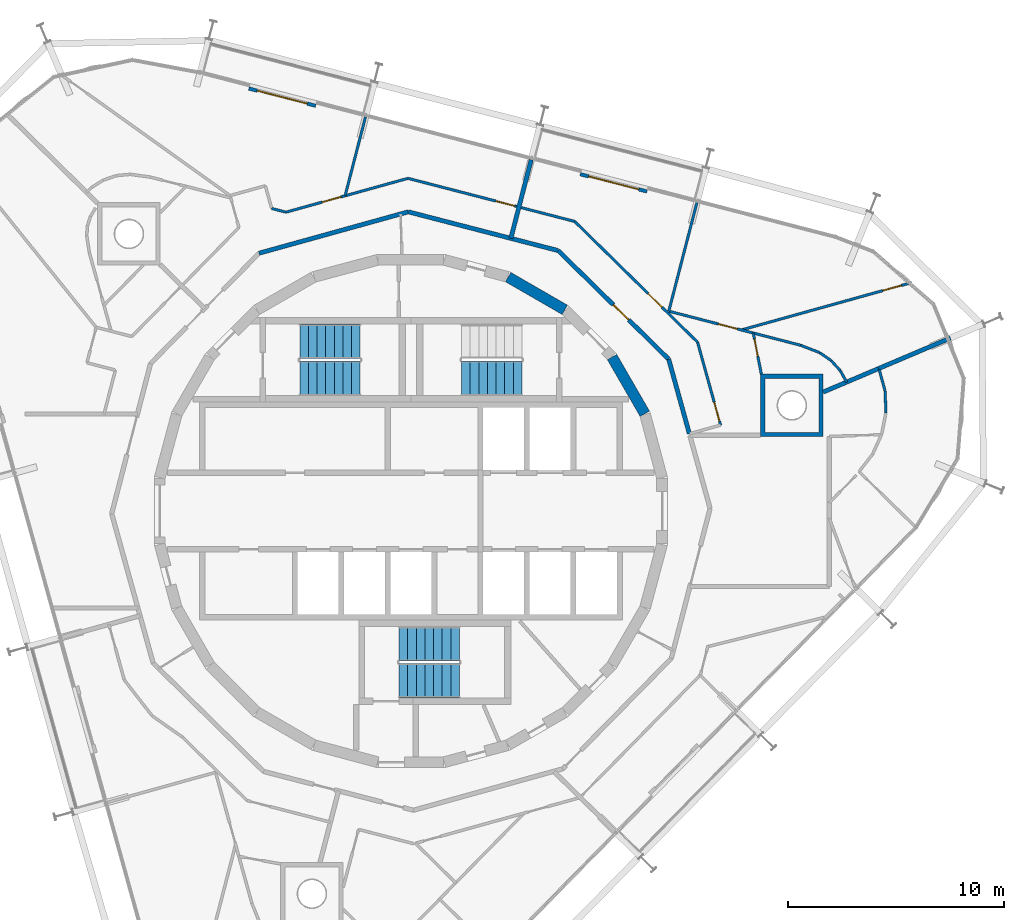
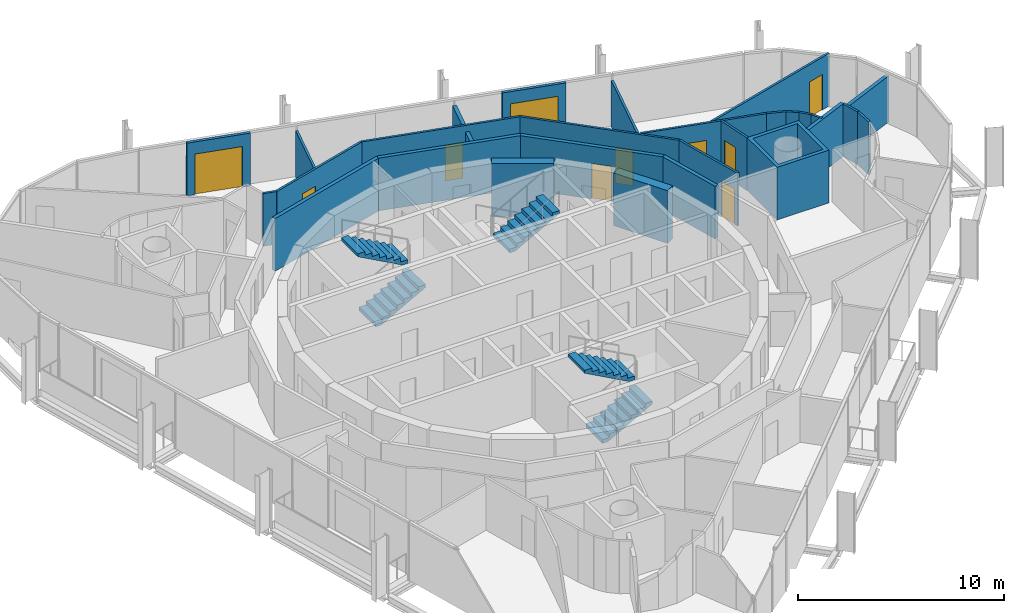
# One storey, part 14 of 16: 28 walls, 10 doors, 5 stair flights, 10 openings, 3 elements without a shape of their own.
"""IFC4 building model written with IfcOpenShell, lengths in metres."""

from ifc_helpers import new_model, si_unit, direction, frame, frame_2d, origin, place, context, subcontext, project, spatial, polyline, rectangle, outline, extrude, material, layer, layer_set, type_object, element, fill, aggregate, save


model = new_model("IFC4")

# Units and contexts
model_context = context("Model", 3, precision=1e-05, world=origin(), true_north=direction((0.0, 1.0)))
body_context = subcontext(model_context, "Body", "Model", "MODEL_VIEW")
ifc_project = project(units=[si_unit("LENGTHUNIT", "METRE"), si_unit("AREAUNIT", "SQUARE_METRE"), si_unit("VOLUMEUNIT", "CUBIC_METRE"), si_unit("PLANEANGLEUNIT", "RADIAN"), si_unit("MASSUNIT", "GRAM", prefix="KILO")], contexts=[model_context])

# Site, building, storey
site_placement = place(None, origin())
site = spatial("IfcSite", under=ifc_project, at=site_placement, CompositionType="ELEMENT")
building_placement = place(site_placement, origin())
building = spatial("IfcBuilding", under=site, at=building_placement, Name="Spindle Arch Residences", CompositionType="ELEMENT")
storey_placement = place(building_placement, frame((0.0, 0.0, 301.699951171875)))
storey = spatial("IfcBuildingStorey", under=building, at=storey_placement, Name="L77", CompositionType="ELEMENT", Elevation=301.699951171875)

# Walls
ifc_material_1 = material(Name="Concrete C50/60", Category="concrete")
ifc_layer_1 = layer(ifc_material_1, 0.5)
ifc_layer_set_1 = layer_set([ifc_layer_1], Name="Core outline wall 500")
wall_type_1 = type_object("IfcWallType", Name="Core outline wall 500", PredefinedType="SHEAR", material=ifc_layer_set_1)
for number, where, z_axis, x_axis, name in (
    (1, (10.84521484375, 4.510498046875, 0.0), (0.0, 0.0, 1.0), (-0.500087131594, 0.865975092491, 0.0), "Core outline wall 8"),
    (2, (7.13671875, 9.32861328125, 0.0), (0.0, 0.0, 1.0), (-0.865975092491, 0.500087131594, 0.0), "Core outline wall 10"),
):
    element("IfcWall", number, at=place(storey_placement, frame(where, z_axis=z_axis, x_axis=x_axis)), inside=storey, type_object=wall_type_1, Name=name, PredefinedType="SHEAR", context=body_context, shape_type="SweptSolid", body=[
        extrude(rectangle(XDim=3.03271484375, YDim=0.5, at=frame_2d((1.516357421875, 0.0))), origin(), (0.0, 0.0, 1.0), 3.1201171875),
    ])
ifc_material_2 = material(Name="Calcium silicate block, plastered")
ifc_layer_2 = layer(ifc_material_2, 0.199951171875)
ifc_layer_set_2 = layer_set([ifc_layer_2], Name="Corridor wall 200")
wall_type_2 = type_object("IfcWallType", Name="Corridor wall 200", PredefinedType="STANDARD", material=ifc_layer_set_2)
wall_1_placement = place(storey_placement, frame((12.91259765625, 3.5810546875, 0.0), z_axis=(0.0, 0.0, 1.0), x_axis=(-0.267223005422, 0.963634715737, 0.0)))
element("IfcWall", 3, at=wall_1_placement, inside=storey, type_object=wall_type_2, Name="Corridor wall R8A1-W006", PredefinedType="STANDARD", context=body_context, shape_type="SweptSolid", body=[
    extrude(rectangle(XDim=3.590576171875, YDim=0.199951171875, at=frame_2d((1.79541015625, 0.0))), origin(), (0.0, 0.0, 1.0), 3.1201171875),
])

# Wall, opening, door
wall_2_placement = place(storey_placement, frame((11.953125, 7.041015625, 0.0), z_axis=(0.0, 0.0, 1.0), x_axis=(-0.713250549143, 0.70090916255, 0.0)))
wall_2 = element("IfcWall", 4, at=wall_2_placement, inside=storey, type_object=wall_type_2, Name="Corridor wall R8A1-W007", PredefinedType="STANDARD", context=body_context, shape_type="SweptSolid", body=[
    extrude(rectangle(XDim=7.180908203125, YDim=0.199951171875, at=frame_2d((3.59033203125, 0.0))), origin(), (0.0, 0.0, 1.0), 3.1201171875),
])
opening_1_placement = place(wall_2_placement, frame((2.60009765625, 0.0, 0.0)))
opening_1 = element("IfcOpeningElement", 5, at=opening_1_placement, cuts=wall_2, Name="Opening R8A1-FD01", PredefinedType="OPENING", context=body_context, shape_type="SweptSolid", body=[
    extrude(rectangle(XDim=1.0, YDim=2.10009765625, at=frame_2d((0.5, 1.050048828125))), frame((0.0, 0.10986328125, 0.0), z_axis=(0.0, -1.0, 0.0), x_axis=(1.0, 0.0, 0.0)), (0.0, 0.0, 1.0), 0.219970703125),
])
ifc_material_3 = material(Name="Timber, fire-resisting door set", Category="wood")
door_type_1 = type_object("IfcDoorType", Name="Flat entrance door 1000x2100", OperationType="NOTDEFINED", PredefinedType="DOOR", material=ifc_material_3)
door_1_placement = place(opening_1_placement, origin())
door_1 = element("IfcDoor", 6, at=door_1_placement, inside=storey, type_object=door_type_1, Name="Flat entrance door R8A1-FD01", OperationType="SINGLE_SWING_LEFT", OverallHeight=2.10009765625, OverallWidth=1.0, PredefinedType="DOOR", context=body_context, shape_type="SweptSolid", body=[
    extrude(rectangle(XDim=1.0, YDim=2.10009765625, at=frame_2d((0.5, 1.050048828125))), frame((0.0, 0.02490234375, 0.0), z_axis=(0.0, -1.0, 0.0), x_axis=(1.0, 0.0, 0.0)), (0.0, 0.0, 1.0), 0.050048828125),
])
fill(opening_1, door_1)

# Walls
for number, where, z_axis, x_axis, name in (
    (7, (6.831298828125, 12.07421875, 0.0), (0.0, 0.0, 1.0), (-0.968144780225, 0.250391063186, 0.0), "Corridor wall R8A1-W008"),
    (8, (-0.12109375, 13.872314453125, 0.0), (0.0, 0.0, 1.0), (-0.963625960674, -0.267254575108, 0.0), "Corridor wall R8A1-W009"),
):
    element("IfcWall", number, at=place(storey_placement, frame(where, z_axis=z_axis, x_axis=x_axis)), inside=storey, type_object=wall_type_2, Name=name, PredefinedType="STANDARD", context=body_context, shape_type="SweptSolid", body=[
        extrude(rectangle(XDim=7.18115234375, YDim=0.199951171875, at=frame_2d((3.590576171875, 0.0))), origin(), (0.0, 0.0, 1.0), 3.1201171875),
    ])

# Wall, opening, door
ifc_material_4 = material(Name="Plasterboard on steel studs", Category="steel")
ifc_layer_3 = layer(ifc_material_4, 0.1201171875)
ifc_layer_set_3 = layer_set([ifc_layer_3], Name="Flat partition 120")
wall_type_3 = type_object("IfcWallType", Name="Flat partition 120", PredefinedType="PARTITIONING", material=ifc_layer_set_3)
wall_3_placement = place(storey_placement, frame((14.358154296875, 3.98193359375, 0.0), z_axis=(0.0, 0.0, 1.0), x_axis=(-0.267233823916, 0.963631715623, 0.0)))
wall_3 = element("IfcWall", 9, at=wall_3_placement, inside=storey, type_object=wall_type_3, Name="Flat partition R8A1-W033", PredefinedType="PARTITIONING", context=body_context, shape_type="SweptSolid", body=[
    extrude(rectangle(XDim=3.992431640625, YDim=0.1201171875, at=frame_2d((1.99609375, 0.0))), origin(), (0.0, 0.0, 1.0), 3.1201171875),
])
opening_2_placement = place(wall_3_placement, frame((0.199951171875, 0.0, 0.0)))
opening_2 = element("IfcOpeningElement", 10, at=opening_2_placement, cuts=wall_3, Name="Opening R8A1-ID01", PredefinedType="OPENING", context=body_context, shape_type="SweptSolid", body=[
    extrude(rectangle(XDim=0.89990234375, YDim=2.10009765625, at=frame_2d((0.449951171875, 1.050048828125))), frame((0.0, 0.070068359375, 0.0), z_axis=(0.0, -1.0, 0.0), x_axis=(1.0, 0.0, 0.0)), (0.0, 0.0, 1.0), 0.14013671875),
])
ifc_material_5 = material(Name="Timber door set", Category="wood")
door_type_2 = type_object("IfcDoorType", Name="Room door 900x2100", OperationType="NOTDEFINED", PredefinedType="DOOR", material=ifc_material_5)
door_2_placement = place(opening_2_placement, origin())
door_2 = element("IfcDoor", 11, at=door_2_placement, inside=storey, type_object=door_type_2, Name="Room door R8A1-ID01", OperationType="SINGLE_SWING_LEFT", OverallHeight=2.10009765625, OverallWidth=0.89990234375, PredefinedType="DOOR", context=body_context, shape_type="SweptSolid", body=[
    extrude(rectangle(XDim=0.89990234375, YDim=2.10009765625, at=frame_2d((0.449951171875, 1.050048828125))), frame((0.0, 0.02490234375, 0.0), z_axis=(0.0, -1.0, 0.0), x_axis=(1.0, 0.0, 0.0)), (0.0, 0.0, 1.0), 0.050048828125),
])
fill(opening_2, door_2)

wall_4_placement = place(storey_placement, frame((13.291259765625, 7.8291015625, 0.0), z_axis=(0.0, 0.0, 1.0), x_axis=(-0.713255978622, 0.700903637428, 0.0)))
wall_4 = element("IfcWall", 12, at=wall_4_placement, inside=storey, type_object=wall_type_3, Name="Flat partition R8A1-W034", PredefinedType="PARTITIONING", context=body_context, shape_type="SweptSolid", body=[
    extrude(rectangle(XDim=7.98486328125, YDim=0.1201171875, at=frame_2d((3.992431640625, 0.0))), origin(), (0.0, 0.0, 1.0), 3.1201171875),
])
opening_3_placement = place(wall_4_placement, frame((2.314208984375, 0.0, 0.0)))
opening_3 = element("IfcOpeningElement", 13, at=opening_3_placement, cuts=wall_4, Name="Opening R8A1-ID02", PredefinedType="OPENING", context=body_context, shape_type="SweptSolid", body=[
    extrude(rectangle(XDim=0.89990234375, YDim=2.10009765625, at=frame_2d((0.449951171875, 1.050048828125))), frame((0.0, 0.070068359375, 0.0), z_axis=(0.0, -1.0, 0.0), x_axis=(1.0, 0.0, 0.0)), (0.0, 0.0, 1.0), 0.14013671875),
])
door_3_placement = place(opening_3_placement, origin())
door_3 = element("IfcDoor", 14, at=door_3_placement, inside=storey, type_object=door_type_2, Name="Room door R8A1-ID02", OperationType="SINGLE_SWING_LEFT", OverallHeight=2.10009765625, OverallWidth=0.89990234375, PredefinedType="DOOR", context=body_context, shape_type="SweptSolid", body=[
    extrude(rectangle(XDim=0.89990234375, YDim=2.10009765625, at=frame_2d((0.449951171875, 1.050048828125))), frame((0.0, 0.02490234375, 0.0), z_axis=(0.0, -1.0, 0.0), x_axis=(1.0, 0.0, 0.0)), (0.0, 0.0, 1.0), 0.050048828125),
])
fill(opening_3, door_3)

wall_5_placement = place(storey_placement, frame((7.595947265625, 13.42578125, 0.0), z_axis=(0.0, 0.0, 1.0), x_axis=(-0.968146656033, 0.250383810203, 0.0)))
wall_5 = element("IfcWall", 15, at=wall_5_placement, inside=storey, type_object=wall_type_3, Name="Flat partition R8A1-W035", PredefinedType="PARTITIONING", context=body_context, shape_type="SweptSolid", body=[
    extrude(rectangle(XDim=7.98486328125, YDim=0.1201171875, at=frame_2d((3.992431640625, 0.0))), origin(), (0.0, 0.0, 1.0), 3.1201171875),
])
opening_4_placement = place(wall_5_placement, frame((2.869873046875, 0.0, 0.0)))
opening_4 = element("IfcOpeningElement", 16, at=opening_4_placement, cuts=wall_5, Name="Opening R8A1-ID05", PredefinedType="OPENING", context=body_context, shape_type="SweptSolid", body=[
    extrude(rectangle(XDim=0.89990234375, YDim=2.10009765625, at=frame_2d((0.449951171875, 1.050048828125))), frame((0.0, 0.070068359375, 0.0), z_axis=(0.0, -1.0, 0.0), x_axis=(1.0, 0.0, 0.0)), (0.0, 0.0, 1.0), 0.14013671875),
])
door_4_placement = place(opening_4_placement, origin())
door_4 = element("IfcDoor", 17, at=door_4_placement, inside=storey, type_object=door_type_2, Name="Room door R8A1-ID05", OperationType="SINGLE_SWING_LEFT", OverallHeight=2.10009765625, OverallWidth=0.89990234375, PredefinedType="DOOR", context=body_context, shape_type="SweptSolid", body=[
    extrude(rectangle(XDim=0.89990234375, YDim=2.10009765625, at=frame_2d((0.449951171875, 1.050048828125))), frame((0.0, 0.02490234375, 0.0), z_axis=(0.0, -1.0, 0.0), x_axis=(1.0, 0.0, 0.0)), (0.0, 0.0, 1.0), 0.050048828125),
])
fill(opening_4, door_4)

# Walls
wall_6_placement = place(storey_placement, frame((20.203369140625, 5.976806640625, 0.0), z_axis=(0.0, 0.0, 1.0), x_axis=(-0.482261544721, 0.876027284098, 0.0)))
element("IfcWall", 18, at=wall_6_placement, inside=storey, type_object=wall_type_3, Name="Flat partition R8A1-W036", PredefinedType="PARTITIONING", context=body_context, shape_type="SweptSolid", body=[
    extrude(rectangle(XDim=0.601318359375, YDim=0.1201171875, at=frame_2d((0.30078125, 0.0))), origin(), (0.0, 0.0, 1.0), 3.1201171875),
])
for number, where, z_axis, x_axis, name in (
    (19, (19.913330078125, 6.503662109375, 0.0), (0.0, 0.0, 1.0), (-0.671251836621, 0.741229365198, 0.0), "Flat partition R8A1-W037"),
    (20, (19.482421875, 6.9794921875, 0.0), (0.0, 0.0, 1.0), (-0.82418616252, 0.566318964463, 0.0), "Flat partition R8A1-W038"),
):
    element("IfcWall", number, at=place(storey_placement, frame(where, z_axis=z_axis, x_axis=x_axis)), inside=storey, type_object=wall_type_3, Name=name, PredefinedType="PARTITIONING", context=body_context, shape_type="SweptSolid", body=[
        extrude(rectangle(XDim=0.641845703125, YDim=0.1201171875, at=frame_2d((0.32080078125, 0.0))), origin(), (0.0, 0.0, 1.0), 3.1201171875),
    ])
wall_7_placement = place(storey_placement, frame((18.953369140625, 7.343017578125, 0.0), z_axis=(0.0, 0.0, 1.0), x_axis=(-0.932458839957, 0.361276226433, 0.0)))
element("IfcWall", 21, at=wall_7_placement, inside=storey, type_object=wall_type_3, Name="Flat partition R8A1-W039", PredefinedType="PARTITIONING", context=body_context, shape_type="SweptSolid", body=[
    extrude(rectangle(XDim=0.94677734375, YDim=0.1201171875, at=frame_2d((0.473388671875, 0.0))), origin(), (0.0, 0.0, 1.0), 3.1201171875),
])

# Wall, opening, door
wall_8_placement = place(storey_placement, frame((18.070556640625, 7.68505859375, 0.0), z_axis=(0.0, 0.0, 1.0), x_axis=(-0.968152245082, 0.250362198309, 0.0)))
wall_8 = element("IfcWall", 22, at=wall_8_placement, inside=storey, type_object=wall_type_3, Name="Flat partition R8A1-W040", PredefinedType="PARTITIONING", context=body_context, shape_type="SweptSolid", body=[
    extrude(rectangle(XDim=6.313232421875, YDim=0.1201171875, at=frame_2d((3.15673828125, 0.0))), origin(), (0.0, 0.0, 1.0), 3.1201171875),
])
opening_5_placement = place(wall_8_placement, frame((3.035888671875, 0.0, 0.0)))
opening_5 = element("IfcOpeningElement", 23, at=opening_5_placement, cuts=wall_8, Name="Opening R8A1-ID03", PredefinedType="OPENING", context=body_context, shape_type="SweptSolid", body=[
    extrude(rectangle(XDim=0.89990234375, YDim=2.10009765625, at=frame_2d((0.449951171875, 1.050048828125))), frame((0.0, 0.070068359375, 0.0), z_axis=(0.0, -1.0, 0.0), x_axis=(1.0, 0.0, 0.0)), (0.0, 0.0, 1.0), 0.14013671875),
])
door_5_placement = place(opening_5_placement, origin())
door_5 = element("IfcDoor", 24, at=door_5_placement, inside=storey, type_object=door_type_2, Name="Room door R8A1-ID03", OperationType="SINGLE_SWING_LEFT", OverallHeight=2.10009765625, OverallWidth=0.89990234375, PredefinedType="DOOR", context=body_context, shape_type="SweptSolid", body=[
    extrude(rectangle(XDim=0.89990234375, YDim=2.10009765625, at=frame_2d((0.449951171875, 1.050048828125))), frame((0.0, 0.02490234375, 0.0), z_axis=(0.0, -1.0, 0.0), x_axis=(1.0, 0.0, 0.0)), (0.0, 0.0, 1.0), 0.050048828125),
])
fill(opening_5, door_5)

wall_9_placement = place(storey_placement, frame((15.873046875, 8.253173828125, 0.0), z_axis=(0.0, 0.0, 1.0), x_axis=(0.19340687816, -0.981118636802, 0.0)))
wall_9 = element("IfcWall", 25, at=wall_9_placement, inside=storey, type_object=wall_type_3, Name="Flat partition R8A1-W041", PredefinedType="PARTITIONING", context=body_context, shape_type="SweptSolid", body=[
    extrude(rectangle(XDim=1.94140625, YDim=0.1201171875, at=frame_2d((0.970703125, 0.0))), origin(), (0.0, 0.0, 1.0), 3.1201171875),
])
opening_6_placement = place(wall_9_placement, frame((0.300048828125, 0.0, 0.0)))
opening_6 = element("IfcOpeningElement", 26, at=opening_6_placement, cuts=wall_9, Name="Opening R8A1-BD01", PredefinedType="OPENING", context=body_context, shape_type="SweptSolid", body=[
    extrude(rectangle(XDim=0.800048828125, YDim=2.10009765625, at=frame_2d((0.39990234375, 1.050048828125))), frame((0.0, 0.070068359375, 0.0), z_axis=(0.0, -1.0, 0.0), x_axis=(1.0, 0.0, 0.0)), (0.0, 0.0, 1.0), 0.14013671875),
])
ifc_material_6 = material(Name="Timber door set", Category="wood")
door_type_3 = type_object("IfcDoorType", Name="Bathroom door 800x2100", OperationType="NOTDEFINED", PredefinedType="DOOR", material=ifc_material_6)
door_6_placement = place(opening_6_placement, origin())
door_6 = element("IfcDoor", 27, at=door_6_placement, inside=storey, type_object=door_type_3, Name="Bathroom door R8A1-BD01", OperationType="SINGLE_SWING_LEFT", OverallHeight=2.10009765625, OverallWidth=0.800048828125, PredefinedType="DOOR", context=body_context, shape_type="SweptSolid", body=[
    extrude(rectangle(XDim=0.800048828125, YDim=2.10009765625, at=frame_2d((0.39990234375, 1.050048828125))), frame((0.0, 0.02490234375, 0.0), z_axis=(0.0, -1.0, 0.0), x_axis=(1.0, 0.0, 0.0)), (0.0, 0.0, 1.0), 0.050048828125),
])
fill(opening_6, door_6)

wall_10_placement = place(storey_placement, frame((23.225341796875, 10.593017578125, 0.0), z_axis=(0.0, 0.0, 1.0), x_axis=(-0.963409492722, -0.268033858559, 0.0)))
wall_10 = element("IfcWall", 28, at=wall_10_placement, inside=storey, type_object=wall_type_3, Name="Flat partition R8A1-W042", PredefinedType="PARTITIONING", context=body_context, shape_type="SweptSolid", body=[
    extrude(rectangle(XDim=8.200439453125, YDim=0.1201171875, at=frame_2d((4.10009765625, 0.0))), origin(), (0.0, 0.0, 1.0), 3.1201171875),
])
opening_7_placement = place(wall_10_placement, frame((0.5, 0.0, 0.0)))
opening_7 = element("IfcOpeningElement", 29, at=opening_7_placement, cuts=wall_10, Name="Opening R8A1-ID04", PredefinedType="OPENING", context=body_context, shape_type="SweptSolid", body=[
    extrude(rectangle(XDim=0.89990234375, YDim=2.10009765625, at=frame_2d((0.449951171875, 1.050048828125))), frame((0.0, 0.070068359375, 0.0), z_axis=(0.0, -1.0, 0.0), x_axis=(1.0, 0.0, 0.0)), (0.0, 0.0, 1.0), 0.14013671875),
])
door_7_placement = place(opening_7_placement, origin())
door_7 = element("IfcDoor", 30, at=door_7_placement, inside=storey, type_object=door_type_2, Name="Room door R8A1-ID04", OperationType="SINGLE_SWING_LEFT", OverallHeight=2.10009765625, OverallWidth=0.89990234375, PredefinedType="DOOR", context=body_context, shape_type="SweptSolid", body=[
    extrude(rectangle(XDim=0.89990234375, YDim=2.10009765625, at=frame_2d((0.449951171875, 1.050048828125))), frame((0.0, 0.02490234375, 0.0), z_axis=(0.0, -1.0, 0.0), x_axis=(1.0, 0.0, 0.0)), (0.0, 0.0, 1.0), 0.050048828125),
])
fill(opening_7, door_7)

wall_11_placement = place(storey_placement, frame((-0.134521484375, 15.425048828125, 0.0), z_axis=(0.0, 0.0, 1.0), x_axis=(-0.963635182689, -0.267221321536, 0.0)))
wall_11 = element("IfcWall", 31, at=wall_11_placement, inside=storey, type_object=wall_type_3, Name="Flat partition R8A1-W044", PredefinedType="PARTITIONING", context=body_context, shape_type="SweptSolid", body=[
    extrude(rectangle(XDim=5.870849609375, YDim=0.1201171875, at=frame_2d((2.935546875, 0.0))), origin(), (0.0, 0.0, 1.0), 3.1201171875),
])
opening_8_placement = place(wall_11_placement, frame((3.225341796875, 0.0, 0.0)))
opening_8 = element("IfcOpeningElement", 32, at=opening_8_placement, cuts=wall_11, Name="Opening R8A1-ID06", PredefinedType="OPENING", context=body_context, shape_type="SweptSolid", body=[
    extrude(rectangle(XDim=0.89990234375, YDim=2.10009765625, at=frame_2d((0.449951171875, 1.050048828125))), frame((0.0, 0.070068359375, 0.0), z_axis=(0.0, -1.0, 0.0), x_axis=(1.0, 0.0, 0.0)), (0.0, 0.0, 1.0), 0.14013671875),
])
door_8_placement = place(opening_8_placement, origin())
door_8 = element("IfcDoor", 33, at=door_8_placement, inside=storey, type_object=door_type_2, Name="Room door R8A1-ID06", OperationType="SINGLE_SWING_RIGHT", OverallHeight=2.10009765625, OverallWidth=0.89990234375, PredefinedType="DOOR", context=body_context, shape_type="SweptSolid", body=[
    extrude(rectangle(XDim=0.89990234375, YDim=2.10009765625, at=frame_2d((0.449951171875, 1.050048828125))), frame((0.0, 0.02490234375, 0.0), z_axis=(0.0, -1.0, 0.0), x_axis=(1.0, 0.0, 0.0)), (0.0, 0.0, 1.0), 0.050048828125),
])
fill(opening_8, door_8)

# Walls
wall_12_placement = place(storey_placement, frame((-5.7919921875, 13.856201171875, 0.0), z_axis=(0.0, 0.0, 1.0), x_axis=(-0.968137965662, 0.250417410425, 0.0)))
element("IfcWall", 34, at=wall_12_placement, inside=storey, type_object=wall_type_3, Name="Flat partition R8A1-W045", PredefinedType="PARTITIONING", context=body_context, shape_type="SweptSolid", body=[
    extrude(rectangle(XDim=0.684326171875, YDim=0.1201171875, at=frame_2d((0.34228515625, 0.0))), origin(), (0.0, 0.0, 1.0), 3.1201171875),
])
for number, where, z_axis, x_axis, name in (
    (35, (21.714599609375, 6.549072265625, 0.0), (0.0, 0.0, 1.0), (0.267222438577, -0.963634872927, 0.0), "Flat partition R8A1-W105"),
    (36, (21.986083984375, 5.570068359375, 0.0), (0.0, 0.0, 1.0), (0.037971633756, -0.999278817463, 0.0), "Flat partition R8A1-W106"),
):
    element("IfcWall", number, at=place(storey_placement, frame(where, z_axis=z_axis, x_axis=x_axis)), inside=storey, type_object=wall_type_3, Name=name, PredefinedType="PARTITIONING", context=body_context, shape_type="SweptSolid", body=[
        extrude(rectangle(XDim=1.015869140625, YDim=0.1201171875, at=frame_2d((0.5078125, 0.0))), origin(), (0.0, 0.0, 1.0), 3.1201171875),
    ])
ifc_material_7 = material(Name="Plasterboard on steel studs", Category="steel")
ifc_layer_4 = layer(ifc_material_7, 0.1201171875)
ifc_layer_set_4 = layer_set([ifc_layer_4], Name="Flat partition 120 under beam 2730")
wall_type_4 = type_object("IfcWallType", Name="Flat partition 120 under beam 2730", PredefinedType="PARTITIONING", material=ifc_layer_set_4)
wall_13_placement = place(storey_placement, frame((13.260498046875, 14.300048828125, 0.0), z_axis=(0.0, 0.0, 1.0), x_axis=(-0.25038206324, -0.968147107834, 0.0)))
element("IfcWall", 37, at=wall_13_placement, inside=storey, type_object=wall_type_4, Name="Flat partition R8A1-W043", PredefinedType="PARTITIONING", context=body_context, shape_type="SweptSolid", body=[
    extrude(rectangle(XDim=5.199951171875, YDim=0.1201171875, at=frame_2d((2.60009765625, 0.0))), origin(), (0.0, 0.0, 1.0), 2.72998046875),
])
wall_14_placement = place(storey_placement, frame((-2.104248046875, 18.2734375, 0.0), z_axis=(0.0, 0.0, 1.0), x_axis=(-0.250390133523, -0.968145020663, 0.0)))
element("IfcWall", 38, at=wall_14_placement, inside=storey, type_object=wall_type_4, Name="Flat partition R8A1-W050", PredefinedType="PARTITIONING", context=body_context, shape_type="SweptSolid", body=[
    extrude(rectangle(XDim=3.77734375, YDim=0.1201171875, at=frame_2d((1.888671875, 0.0))), origin(), (0.0, 0.0, 1.0), 2.72998046875),
])
ifc_material_8 = material(Name="Calcium silicate block, plastered")
ifc_layer_5 = layer(ifc_material_8, 0.199951171875)
ifc_layer_set_5 = layer_set([ifc_layer_5], Name="Flat party wall 200")
wall_type_5 = type_object("IfcWallType", Name="Flat party wall 200", PredefinedType="STANDARD", material=ifc_layer_set_5)
wall_15_placement = place(storey_placement, frame((19.112548828125, 5.513916015625, 0.0), z_axis=(0.0, 0.0, 1.0), x_axis=(0.92047794988, 0.390794503268, 0.0)))
element("IfcWall", 39, at=wall_15_placement, inside=storey, type_object=wall_type_5, Name="Flat party wall R8A1-W024", PredefinedType="STANDARD", context=body_context, shape_type="SweptSolid", body=[
    extrude(rectangle(XDim=2.793212890625, YDim=0.199951171875, at=frame_2d((1.396484375, 0.0))), origin(), (0.0, 0.0, 1.0), 3.1201171875),
])
ifc_material_9 = material(Name="Calcium silicate block, plastered")
ifc_layer_6 = layer(ifc_material_9, 0.199951171875)
ifc_layer_set_6 = layer_set([ifc_layer_6], Name="Flat party wall 200 under beam 2730")
wall_type_6 = type_object("IfcWallType", Name="Flat party wall 200 under beam 2730", PredefinedType="STANDARD", material=ifc_layer_set_6)
wall_16_placement = place(storey_placement, frame((5.578125, 16.286865234375, 0.0), z_axis=(0.0, 0.0, 1.0), x_axis=(-0.250385965992, -0.968146098497, 0.0)))
element("IfcWall", 40, at=wall_16_placement, inside=storey, type_object=wall_type_6, Name="Flat party wall R8A1-W023", PredefinedType="STANDARD", context=body_context, shape_type="SweptSolid", body=[
    extrude(rectangle(XDim=3.7646484375, YDim=0.199951171875, at=frame_2d((1.88232421875, 0.0))), origin(), (0.0, 0.0, 1.0), 2.72998046875),
])
wall_17_placement = place(storey_placement, frame((21.68359375, 6.60546875, 0.0), z_axis=(0.0, 0.0, 1.0), x_axis=(0.920517820403, 0.390700578859, 0.0)))
element("IfcWall", 41, at=wall_17_placement, inside=storey, type_object=wall_type_6, Name="Flat party wall R8A1-W025", PredefinedType="STANDARD", context=body_context, shape_type="SweptSolid", body=[
    extrude(rectangle(XDim=3.61865234375, YDim=0.199951171875, at=frame_2d((1.809326171875, 0.0))), origin(), (0.0, 0.0, 1.0), 2.72998046875),
])

# Wall, opening, door
ifc_material_10 = material(Name="Non-combustible mineral wool insulated aluminium faced external wall (K0)", Category="aluminium")
ifc_layer_7 = layer(ifc_material_10, 0.159912109375)
ifc_layer_set_7 = layer_set([ifc_layer_7], Name="Insulated external wall panel 160")
wall_type_7 = type_object("IfcWallType", Name="Insulated external wall panel 160", PredefinedType="STANDARD", material=ifc_layer_set_7)
wall_18_placement = place(storey_placement, frame((10.9482421875, 14.815185546875, 0.0), z_axis=(0.0, 0.0, 1.0), x_axis=(-0.968144998439, 0.250390219454, 0.0)))
wall_18 = element("IfcWall", 42, at=wall_18_placement, inside=storey, type_object=wall_type_7, Name="External wall L77 bay 6", PredefinedType="STANDARD", context=body_context, shape_type="SweptSolid", body=[
    extrude(rectangle(XDim=3.2001953125, YDim=0.159912109375, at=frame_2d((1.60009765625, 0.0))), origin(), (0.0, 0.0, 1.0), 3.1201171875),
])
opening_9_placement = place(wall_18_placement, frame((0.39990234375, 0.0, 0.0)))
opening_9 = element("IfcOpeningElement", 43, at=opening_9_placement, cuts=wall_18, Name="Opening BD06", PredefinedType="OPENING", context=body_context, shape_type="SweptSolid", body=[
    extrude(rectangle(XDim=2.39990234375, YDim=2.39990234375, at=frame_2d((1.199951171875, 1.199951171875))), frame((0.0, 0.08984375, 0.0), z_axis=(0.0, -1.0, 0.0), x_axis=(1.0, 0.0, 0.0)), (0.0, 0.0, 1.0), 0.179931640625),
])
ifc_material_11 = material(Name="Bronze aluminium frame, tinted double glazing", Category="aluminium")
door_type_4 = type_object("IfcDoorType", Name="Sliding glazed balcony door 2400x2400", OperationType="DOUBLE_DOOR_SLIDING", PredefinedType="DOOR", material=ifc_material_11)
door_9_placement = place(opening_9_placement, origin())
door_9 = element("IfcDoor", 44, at=door_9_placement, inside=storey, type_object=door_type_4, Name="Balcony door BD06", OperationType="DOUBLE_DOOR_SLIDING", OverallHeight=2.39990234375, OverallWidth=2.39990234375, PredefinedType="DOOR", context=body_context, shape_type="SweptSolid", body=[
    extrude(rectangle(XDim=2.39990234375, YDim=2.39990234375, at=frame_2d((1.199951171875, 1.199951171875))), frame((0.0, 0.02490234375, 0.0), z_axis=(0.0, -1.0, 0.0), x_axis=(1.0, 0.0, 0.0)), (0.0, 0.0, 1.0), 0.050048828125),
])
fill(opening_9, door_9)

wall_19_placement = place(storey_placement, frame((-4.41650390625, 18.788818359375, 0.0), z_axis=(0.0, 0.0, 1.0), x_axis=(-0.968140214764, 0.250408715017, 0.0)))
wall_19 = element("IfcWall", 45, at=wall_19_placement, inside=storey, type_object=wall_type_7, Name="External wall L77 bay 8", PredefinedType="STANDARD", context=body_context, shape_type="SweptSolid", body=[
    extrude(rectangle(XDim=3.199951171875, YDim=0.159912109375, at=frame_2d((1.60009765625, 0.0))), origin(), (0.0, 0.0, 1.0), 3.1201171875),
])
opening_10_placement = place(wall_19_placement, frame((0.39990234375, 0.0, 0.0)))
opening_10 = element("IfcOpeningElement", 46, at=opening_10_placement, cuts=wall_19, Name="Opening BD08", PredefinedType="OPENING", context=body_context, shape_type="SweptSolid", body=[
    extrude(rectangle(XDim=2.39990234375, YDim=2.39990234375, at=frame_2d((1.199951171875, 1.199951171875))), frame((0.0, 0.08984375, 0.0), z_axis=(0.0, -1.0, 0.0), x_axis=(1.0, 0.0, 0.0)), (0.0, 0.0, 1.0), 0.179931640625),
])
door_10_placement = place(opening_10_placement, origin())
door_10 = element("IfcDoor", 47, at=door_10_placement, inside=storey, type_object=door_type_4, Name="Balcony door BD08", OperationType="DOUBLE_DOOR_SLIDING", OverallHeight=2.39990234375, OverallWidth=2.39990234375, PredefinedType="DOOR", context=body_context, shape_type="SweptSolid", body=[
    extrude(rectangle(XDim=2.39990234375, YDim=2.39990234375, at=frame_2d((1.199951171875, 1.199951171875))), frame((0.0, 0.02490234375, 0.0), z_axis=(0.0, -1.0, 0.0), x_axis=(1.0, 0.0, 0.0)), (0.0, 0.0, 1.0), 0.050048828125),
])
fill(opening_10, door_10)

# Wall
ifc_material_12 = material(Name="Calcium silicate block, plastered")
ifc_layer_8 = layer(ifc_material_12, 0.199951171875)
ifc_layer_set_8 = layer_set([ifc_layer_8], Name="Mega-column casing wall 200")
wall_type_8 = type_object("IfcWallType", Name="Mega-column casing wall 200", PredefinedType="STANDARD", material=ifc_layer_set_8)
wall_20_placement = place(storey_placement, origin())
element("IfcWall", 48, at=wall_20_placement, inside=storey, type_object=wall_type_8, Name="Mega-column casing wall R8A1-WC01", PredefinedType="STANDARD", context=body_context, shape_type="SweptSolid", body=[
    extrude(outline(polyline([(19.112548828125, 6.348388671875), (19.112548828125, 3.4482421875), (16.212646484375, 3.4482421875), (16.212646484375, 6.348388671875), (19.112548828125, 6.348388671875)]), holes=[polyline([(16.41259765625, 3.648193359375), (18.91259765625, 3.648193359375), (18.91259765625, 6.148193359375), (16.41259765625, 6.148193359375), (16.41259765625, 3.648193359375)])]), origin(), (0.0, 0.0, 1.0), 3.1201171875),
])

# Stair, stair flight
ifc_material_13 = material(Name="Concrete C50/60", Category="concrete")
stair_type = type_object("IfcStairType", Name="Exit stair 16 risers", PredefinedType="HALF_TURN_STAIR", material=ifc_material_13)
stair_1_placement = place(storey_placement, origin())
stair_1 = element("IfcStair", 49, at=stair_1_placement, inside=storey, type_object=stair_type, Name="L77 Exit stair ST1", PredefinedType="HALF_TURN_STAIR")
ifc_material_14 = material(Name="Concrete C50/60", Category="concrete")
stair_flight_type = type_object("IfcStairFlightType", Name="Exit stair flight", PredefinedType="STRAIGHT", material=ifc_material_14)
stair_flight_1_placement = place(storey_placement, frame((2.35009765625, 6.14990234375, 1.75), z_axis=(0.0, 0.0, 1.0), x_axis=(1.0, 0.0, 0.0)))
stair_flight_1 = element("IfcStairFlight", 50, at=stair_flight_1_placement, type_object=stair_flight_type, Name="ST1 flight 2", NumberOfRisers=8, NumberOfTreads=7, PredefinedType="STRAIGHT", RiserHeight=0.21875, TreadLength=0.4, context=body_context, shape_type="SweptSolid", body=[
    extrude(outline(polyline([(0.0, 0.0), (0.0, 0.21875), (0.39990234375, 0.21875), (0.39990234375, 0.4375), (0.800048828125, 0.4375), (0.800048828125, 0.65625), (1.199951171875, 0.65625), (1.199951171875, 0.875), (1.60009765625, 0.875), (1.60009765625, 1.09375), (2.0, 1.09375), (2.0, 1.3125), (2.39990234375, 1.3125), (2.39990234375, 1.53125), (2.800048828125, 1.53125), (2.800048828125, 1.75), (2.800048828125, 1.3603515625), (0.3125, 0.0), (0.0, 0.0)])), frame((0.0, 0.800048828125, 0.0), z_axis=(0.0, -1.0, 0.0), x_axis=(1.0, 0.0, 0.0)), (0.0, 0.0, 1.0), 1.60009765625),
])
aggregate(stair_1, [stair_flight_1])

# Stair, stair flights
stair_2_placement = place(storey_placement, origin())
stair_2 = element("IfcStair", 51, at=stair_2_placement, inside=storey, type_object=stair_type, Name="L77 Exit stair ST2", PredefinedType="HALF_TURN_STAIR")
stair_flight_2_placement = place(storey_placement, frame((-5.14990234375, 6.14990234375, 0.0), z_axis=(0.0, 0.0, 1.0), x_axis=(1.0, 0.0, 0.0)))
stair_flight_2 = element("IfcStairFlight", 52, at=stair_flight_2_placement, type_object=stair_flight_type, Name="ST2 flight 1", NumberOfRisers=8, NumberOfTreads=7, PredefinedType="STRAIGHT", RiserHeight=0.21875, TreadLength=0.4, context=body_context, shape_type="SweptSolid", body=[
    extrude(outline(polyline([(0.0, 0.0), (0.0, 0.21875), (0.39990234375, 0.21875), (0.39990234375, 0.4375), (0.800048828125, 0.4375), (0.800048828125, 0.65625), (1.199951171875, 0.65625), (1.199951171875, 0.875), (1.60009765625, 0.875), (1.60009765625, 1.09375), (2.0, 1.09375), (2.0, 1.3125), (2.39990234375, 1.3125), (2.39990234375, 1.53125), (2.800048828125, 1.53125), (2.800048828125, 1.75), (2.800048828125, 1.3603515625), (0.3125, 0.0), (0.0, 0.0)])), frame((0.0, 0.800048828125, 0.0), z_axis=(0.0, -1.0, 0.0), x_axis=(1.0, 0.0, 0.0)), (0.0, 0.0, 1.0), 1.60009765625),
])
stair_flight_3_placement = place(storey_placement, frame((-2.35009765625, 7.8701171875, 1.75), z_axis=(0.0, 0.0, 1.0), x_axis=(-1.0, 0.0, 0.0)))
stair_flight_3 = element("IfcStairFlight", 53, at=stair_flight_3_placement, type_object=stair_flight_type, Name="ST2 flight 2", NumberOfRisers=8, NumberOfTreads=7, PredefinedType="STRAIGHT", RiserHeight=0.21875, TreadLength=0.4, context=body_context, shape_type="SweptSolid", body=[
    extrude(outline(polyline([(0.0, 0.0), (0.0, 0.21875), (0.39990234375, 0.21875), (0.39990234375, 0.4375), (0.800048828125, 0.4375), (0.800048828125, 0.65625), (1.199951171875, 0.65625), (1.199951171875, 0.875), (1.60009765625, 0.875), (1.60009765625, 1.09375), (2.0, 1.09375), (2.0, 1.3125), (2.39990234375, 1.3125), (2.39990234375, 1.53125), (2.800048828125, 1.53125), (2.800048828125, 1.75), (2.800048828125, 1.3603515625), (0.3125, 0.0), (0.0, 0.0)])), frame((0.0, 0.800048828125, 0.0), z_axis=(0.0, -1.0, 0.0), x_axis=(1.0, 0.0, 0.0)), (0.0, 0.0, 1.0), 1.60009765625),
])
aggregate(stair_2, [stair_flight_2, stair_flight_3])

stair_3_placement = place(storey_placement, origin())
stair_3 = element("IfcStair", 54, at=stair_3_placement, inside=storey, type_object=stair_type, Name="L77 Exit stair ST3", PredefinedType="HALF_TURN_STAIR")
stair_flight_4_placement = place(storey_placement, frame((-0.550048828125, -7.8701171875, 0.0), z_axis=(0.0, 0.0, 1.0), x_axis=(1.0, 0.0, 0.0)))
stair_flight_4 = element("IfcStairFlight", 55, at=stair_flight_4_placement, type_object=stair_flight_type, Name="ST3 flight 1", NumberOfRisers=8, NumberOfTreads=7, PredefinedType="STRAIGHT", RiserHeight=0.21875, TreadLength=0.4, context=body_context, shape_type="SweptSolid", body=[
    extrude(outline(polyline([(0.0, 0.0), (0.0, 0.21875), (0.39990234375, 0.21875), (0.39990234375, 0.4375), (0.800048828125, 0.4375), (0.800048828125, 0.65625), (1.199951171875, 0.65625), (1.199951171875, 0.875), (1.60009765625, 0.875), (1.60009765625, 1.09375), (2.0, 1.09375), (2.0, 1.3125), (2.39990234375, 1.3125), (2.39990234375, 1.53125), (2.800048828125, 1.53125), (2.800048828125, 1.75), (2.800048828125, 1.3603515625), (0.3125, 0.0), (0.0, 0.0)])), frame((0.0, 0.800048828125, 0.0), z_axis=(0.0, -1.0, 0.0), x_axis=(1.0, 0.0, 0.0)), (0.0, 0.0, 1.0), 1.60009765625),
])
stair_flight_5_placement = place(storey_placement, frame((2.25, -6.14990234375, 1.75), z_axis=(0.0, 0.0, 1.0), x_axis=(-1.0, 0.0, 0.0)))
stair_flight_5 = element("IfcStairFlight", 56, at=stair_flight_5_placement, type_object=stair_flight_type, Name="ST3 flight 2", NumberOfRisers=8, NumberOfTreads=7, PredefinedType="STRAIGHT", RiserHeight=0.21875, TreadLength=0.4, context=body_context, shape_type="SweptSolid", body=[
    extrude(outline(polyline([(0.0, 0.0), (0.0, 0.21875), (0.39990234375, 0.21875), (0.39990234375, 0.4375), (0.800048828125, 0.4375), (0.800048828125, 0.65625), (1.199951171875, 0.65625), (1.199951171875, 0.875), (1.60009765625, 0.875), (1.60009765625, 1.09375), (2.0, 1.09375), (2.0, 1.3125), (2.39990234375, 1.3125), (2.39990234375, 1.53125), (2.800048828125, 1.53125), (2.800048828125, 1.75), (2.800048828125, 1.3603515625), (0.3125, 0.0), (0.0, 0.0)])), frame((0.0, 0.800048828125, 0.0), z_axis=(0.0, -1.0, 0.0), x_axis=(1.0, 0.0, 0.0)), (0.0, 0.0, 1.0), 1.60009765625),
])
aggregate(stair_3, [stair_flight_4, stair_flight_5])

save(model, "model.ifc")
